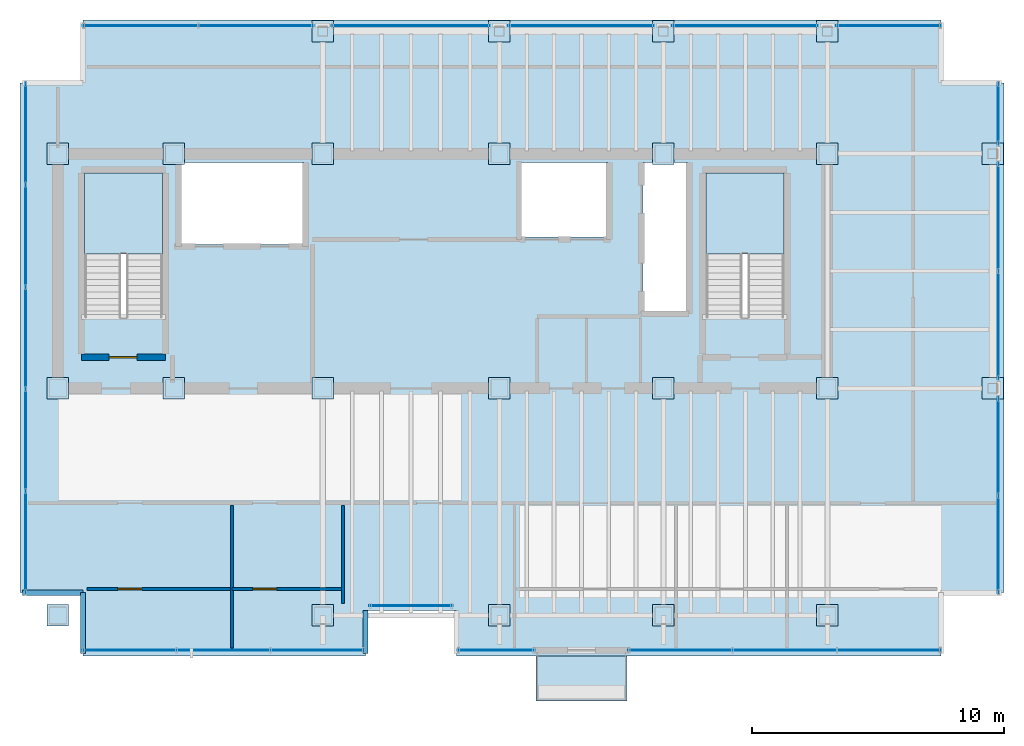
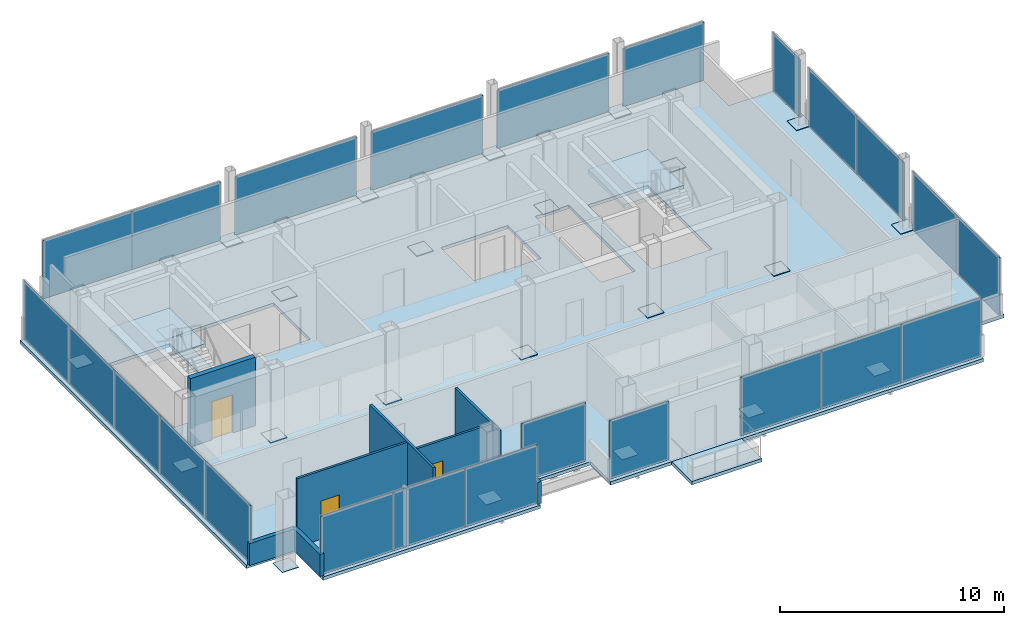
# One storey, part 13 of 17: 47 plates, 8 walls, 4 slabs, 3 doors, 8 openings, 15 elements without a shape of their own.
"""IFC4 building model written with IfcOpenShell, lengths in metres."""

from ifc_helpers import new_model, si_unit, direction, frame, frame_2d, origin, origin_2d, place, context, subcontext, project, spatial, polyline, rectangle, outline, extrude, material, layer, layer_set, type_object, element, fill, aggregate, save


model = new_model("IFC4")

# Units and contexts
model_context = context("Model", 3, precision=1e-05, world=origin(), true_north=direction((0.0, 1.0)))
body_context = subcontext(model_context, "Body", "Model", "MODEL_VIEW")
ifc_project = project(units=[si_unit("LENGTHUNIT", "METRE"), si_unit("AREAUNIT", "SQUARE_METRE"), si_unit("VOLUMEUNIT", "CUBIC_METRE"), si_unit("PLANEANGLEUNIT", "RADIAN"), si_unit("MASSUNIT", "GRAM", prefix="KILO")], contexts=[model_context])

# Site, building, storey
site_placement = place(None, origin())
site = spatial("IfcSite", under=ifc_project, at=site_placement, CompositionType="ELEMENT")
building_placement = place(site_placement, origin())
building = spatial("IfcBuilding", under=site, at=building_placement, Name="Noeulbin Bourse Tower", CompositionType="ELEMENT")
storey_placement = place(building_placement, frame((0.0, 0.0, 293.0)))
storey = spatial("IfcBuildingStorey", under=building, at=storey_placement, Name="L73", CompositionType="ELEMENT", Elevation=293.0)

# Curtain wall, plate
ifc_material_1 = material(Name="High-Selectivity Low-Iron Glazing", Category="glass")
curtain_wall_type = type_object("IfcCurtainWallType", Name="CW-SYS-4", PredefinedType="NOTDEFINED", material=ifc_material_1)
curtain_wall_1_placement = place(storey_placement, origin())
curtain_wall_1 = element("IfcCurtainWall", 1, at=curtain_wall_1_placement, inside=storey, type_object=curtain_wall_type, Name="Unitised Curtain Wall CW-L73-SREC", PredefinedType="NOTDEFINED")
ifc_layer_1 = layer(ifc_material_1, 0.035888671875)
ifc_layer_set_1 = layer_set([ifc_layer_1], Name="High-Selectivity Low-Iron Glazing")
plate_type_1 = type_object("IfcPlateType", Name="CW-SYS-4-PNL", PredefinedType="CURTAIN_PANEL", material=ifc_layer_set_1)
plate_1_placement = place(storey_placement, frame((27.5, 20.3798828125, 0.0), z_axis=(0.0, 0.0, 1.0), x_axis=(1.0, 0.0, 0.0)))
plate_1 = element("IfcPlate", 2, at=plate_1_placement, type_object=plate_type_1, Name="Glazed Curtain Panel CW-L73-SREC-P00", PredefinedType="CURTAIN_PANEL", context=body_context, shape_type="SweptSolid", body=[
    extrude(rectangle(XDim=3.300048828125, YDim=0.035888671875, at=origin_2d()), origin(), (0.0, 0.0, 1.0), 3.179931640625),
])
aggregate(curtain_wall_1, [plate_1])

# Curtain wall, plates
curtain_wall_2_placement = place(storey_placement, origin())
curtain_wall_2 = element("IfcCurtainWall", 3, at=curtain_wall_2_placement, inside=storey, type_object=curtain_wall_type, Name="Unitised Curtain Wall CW-L73-S1", PredefinedType="NOTDEFINED")
plate_2_placement = place(storey_placement, frame((16.341796875, 18.6201171875, 0.0), z_axis=(0.0, 0.0, 1.0), x_axis=(1.0, 0.0, 0.0)))
plate_2 = element("IfcPlate", 4, at=plate_2_placement, type_object=plate_type_1, Name="Glazed Curtain Panel CW-L73-S1-P00", PredefinedType="CURTAIN_PANEL", context=body_context, shape_type="SweptSolid", body=[
    extrude(rectangle(XDim=3.723388671875, YDim=0.035888671875, at=origin_2d()), origin(), (0.0, 0.0, 1.0), 3.179931640625),
])
plate_3_placement = place(storey_placement, frame((20.06494140625, 18.6201171875, 0.0), z_axis=(0.0, 0.0, 1.0), x_axis=(1.0, 0.0, 0.0)))
plate_3 = element("IfcPlate", 5, at=plate_3_placement, type_object=plate_type_1, Name="Glazed Curtain Panel CW-L73-S1-P01", PredefinedType="CURTAIN_PANEL", context=body_context, shape_type="SweptSolid", body=[
    extrude(rectangle(XDim=3.723388671875, YDim=0.035888671875, at=origin_2d()), origin(), (0.0, 0.0, 1.0), 3.179931640625),
])
plate_4_placement = place(storey_placement, frame((23.788330078125, 18.6201171875, 0.0), z_axis=(0.0, 0.0, 1.0), x_axis=(1.0, 0.0, 0.0)))
plate_4 = element("IfcPlate", 6, at=plate_4_placement, type_object=plate_type_1, Name="Glazed Curtain Panel CW-L73-S1-P02", PredefinedType="CURTAIN_PANEL", context=body_context, shape_type="SweptSolid", body=[
    extrude(rectangle(XDim=3.723388671875, YDim=0.035888671875, at=origin_2d()), origin(), (0.0, 0.0, 1.0), 3.179931640625),
])
aggregate(curtain_wall_2, [plate_2, plate_3, plate_4])

# Curtain wall, plate
curtain_wall_3_placement = place(storey_placement, origin())
curtain_wall_3 = element("IfcCurtainWall", 7, at=curtain_wall_3_placement, inside=storey, type_object=curtain_wall_type, Name="Unitised Curtain Wall CW-L73-S2", PredefinedType="NOTDEFINED")
plate_5_placement = place(storey_placement, frame((30.875, 18.6201171875, 0.0), z_axis=(0.0, 0.0, 1.0), x_axis=(1.0, 0.0, 0.0)))
plate_5 = element("IfcPlate", 8, at=plate_5_placement, type_object=plate_type_1, Name="Glazed Curtain Panel CW-L73-S2-P00", PredefinedType="CURTAIN_PANEL", context=body_context, shape_type="SweptSolid", body=[
    extrude(rectangle(XDim=3.050048828125, YDim=0.035888671875, at=origin_2d()), origin(), (0.0, 0.0, 1.0), 3.179931640625),
])
aggregate(curtain_wall_3, [plate_5])

# Curtain wall, plates
curtain_wall_4_placement = place(storey_placement, origin())
curtain_wall_4 = element("IfcCurtainWall", 9, at=curtain_wall_4_placement, inside=storey, type_object=curtain_wall_type, Name="Unitised Curtain Wall CW-L73-S3", PredefinedType="NOTDEFINED")
plate_6_placement = place(storey_placement, frame((38.169921875, 18.6201171875, 0.0), z_axis=(0.0, 0.0, 1.0), x_axis=(1.0, 0.0, 0.0)))
plate_6 = element("IfcPlate", 10, at=plate_6_placement, type_object=plate_type_1, Name="Glazed Curtain Panel CW-L73-S3-P00", PredefinedType="CURTAIN_PANEL", context=body_context, shape_type="SweptSolid", body=[
    extrude(rectangle(XDim=4.139892578125, YDim=0.035888671875, at=origin_2d()), origin(), (0.0, 0.0, 1.0), 3.179931640625),
])
plate_7_placement = place(storey_placement, frame((42.31005859375, 18.6201171875, 0.0), z_axis=(0.0, 0.0, 1.0), x_axis=(1.0, 0.0, 0.0)))
plate_7 = element("IfcPlate", 11, at=plate_7_placement, type_object=plate_type_1, Name="Glazed Curtain Panel CW-L73-S3-P01", PredefinedType="CURTAIN_PANEL", context=body_context, shape_type="SweptSolid", body=[
    extrude(rectangle(XDim=4.139892578125, YDim=0.035888671875, at=origin_2d()), origin(), (0.0, 0.0, 1.0), 3.179931640625),
])
plate_8_placement = place(storey_placement, frame((46.449951171875, 18.6201171875, 0.0), z_axis=(0.0, 0.0, 1.0), x_axis=(1.0, 0.0, 0.0)))
plate_8 = element("IfcPlate", 12, at=plate_8_placement, type_object=plate_type_1, Name="Glazed Curtain Panel CW-L73-S3-P02", PredefinedType="CURTAIN_PANEL", context=body_context, shape_type="SweptSolid", body=[
    extrude(rectangle(XDim=4.139892578125, YDim=0.035888671875, at=origin_2d()), origin(), (0.0, 0.0, 1.0), 3.179931640625),
])
aggregate(curtain_wall_4, [plate_6, plate_7, plate_8])

curtain_wall_5_placement = place(storey_placement, origin())
curtain_wall_5 = element("IfcCurtainWall", 13, at=curtain_wall_5_placement, inside=storey, type_object=curtain_wall_type, Name="Unitised Curtain Wall CW-L73-N-S1", PredefinedType="NOTDEFINED")
plate_9_placement = place(storey_placement, frame((16.77001953125, 43.3798828125, 0.0), z_axis=(0.0, 0.0, 1.0), x_axis=(1.0, 0.0, 0.0)))
plate_9 = element("IfcPlate", 14, at=plate_9_placement, type_object=plate_type_1, Name="Glazed Curtain Panel CW-L73-N-S1-P00", PredefinedType="CURTAIN_PANEL", context=body_context, shape_type="SweptSolid", body=[
    extrude(rectangle(XDim=4.580078125, YDim=0.035888671875, at=origin_2d()), origin(), (0.0, 0.0, 1.0), 3.179931640625),
])
plate_10_placement = place(storey_placement, frame((21.35009765625, 43.3798828125, 0.0), z_axis=(0.0, 0.0, 1.0), x_axis=(1.0, 0.0, 0.0)))
plate_10 = element("IfcPlate", 15, at=plate_10_placement, type_object=plate_type_1, Name="Glazed Curtain Panel CW-L73-N-S1-P01", PredefinedType="CURTAIN_PANEL", context=body_context, shape_type="SweptSolid", body=[
    extrude(rectangle(XDim=4.580078125, YDim=0.035888671875, at=origin_2d()), origin(), (0.0, 0.0, 1.0), 3.179931640625),
])
aggregate(curtain_wall_5, [plate_9, plate_10])

# Curtain wall, plate
curtain_wall_6_placement = place(storey_placement, origin())
curtain_wall_6 = element("IfcCurtainWall", 16, at=curtain_wall_6_placement, inside=storey, type_object=curtain_wall_type, Name="Unitised Curtain Wall CW-L73-N-S2", PredefinedType="NOTDEFINED")
plate_11_placement = place(storey_placement, frame((27.5, 43.3798828125, 0.0), z_axis=(0.0, 0.0, 1.0), x_axis=(1.0, 0.0, 0.0)))
plate_11 = element("IfcPlate", 17, at=plate_11_placement, type_object=plate_type_1, Name="Glazed Curtain Panel CW-L73-N-S2-P00", PredefinedType="CURTAIN_PANEL", context=body_context, shape_type="SweptSolid", body=[
    extrude(rectangle(XDim=6.280029296875, YDim=0.035888671875, at=origin_2d()), origin(), (0.0, 0.0, 1.0), 3.179931640625),
])
aggregate(curtain_wall_6, [plate_11])

curtain_wall_7_placement = place(storey_placement, origin())
curtain_wall_7 = element("IfcCurtainWall", 18, at=curtain_wall_7_placement, inside=storey, type_object=curtain_wall_type, Name="Unitised Curtain Wall CW-L73-N-S3", PredefinedType="NOTDEFINED")
plate_12_placement = place(storey_placement, frame((34.25, 43.3798828125, 0.0), z_axis=(0.0, 0.0, 1.0), x_axis=(1.0, 0.0, 0.0)))
plate_12 = element("IfcPlate", 19, at=plate_12_placement, type_object=plate_type_1, Name="Glazed Curtain Panel CW-L73-N-S3-P00", PredefinedType="CURTAIN_PANEL", context=body_context, shape_type="SweptSolid", body=[
    extrude(rectangle(XDim=5.780029296875, YDim=0.035888671875, at=origin_2d()), origin(), (0.0, 0.0, 1.0), 3.179931640625),
])
aggregate(curtain_wall_7, [plate_12])

curtain_wall_8_placement = place(storey_placement, origin())
curtain_wall_8 = element("IfcCurtainWall", 20, at=curtain_wall_8_placement, inside=storey, type_object=curtain_wall_type, Name="Unitised Curtain Wall CW-L73-N-S4", PredefinedType="NOTDEFINED")
plate_13_placement = place(storey_placement, frame((40.75, 43.3798828125, 0.0), z_axis=(0.0, 0.0, 1.0), x_axis=(1.0, 0.0, 0.0)))
plate_13 = element("IfcPlate", 21, at=plate_13_placement, type_object=plate_type_1, Name="Glazed Curtain Panel CW-L73-N-S4-P00", PredefinedType="CURTAIN_PANEL", context=body_context, shape_type="SweptSolid", body=[
    extrude(rectangle(XDim=5.780029296875, YDim=0.035888671875, at=origin_2d()), origin(), (0.0, 0.0, 1.0), 3.179931640625),
])
aggregate(curtain_wall_8, [plate_13])

curtain_wall_9_placement = place(storey_placement, origin())
curtain_wall_9 = element("IfcCurtainWall", 22, at=curtain_wall_9_placement, inside=storey, type_object=curtain_wall_type, Name="Unitised Curtain Wall CW-L73-N-S5", PredefinedType="NOTDEFINED")
plate_14_placement = place(storey_placement, frame((46.43994140625, 43.3798828125, 0.0), z_axis=(0.0, 0.0, 1.0), x_axis=(1.0, 0.0, 0.0)))
plate_14 = element("IfcPlate", 23, at=plate_14_placement, type_object=plate_type_1, Name="Glazed Curtain Panel CW-L73-N-S5-P00", PredefinedType="CURTAIN_PANEL", context=body_context, shape_type="SweptSolid", body=[
    extrude(rectangle(XDim=4.159912109375, YDim=0.035888671875, at=origin_2d()), origin(), (0.0, 0.0, 1.0), 3.179931640625),
])
aggregate(curtain_wall_9, [plate_14])

# Curtain wall, plates
curtain_wall_10_placement = place(storey_placement, origin())
curtain_wall_10 = element("IfcCurtainWall", 24, at=curtain_wall_10_placement, inside=storey, type_object=curtain_wall_type, Name="Unitised Curtain Wall CW-L73-W", PredefinedType="NOTDEFINED")
plate_15_placement = place(storey_placement, frame((12.219970703125, 22.904052734375, 0.0), z_axis=(0.0, 0.0, 1.0), x_axis=(0.0, 1.0, 0.0)))
plate_15 = element("IfcPlate", 25, at=plate_15_placement, type_object=plate_type_1, Name="Glazed Curtain Panel CW-L73-W-P00", PredefinedType="CURTAIN_PANEL", context=body_context, shape_type="SweptSolid", body=[
    extrude(rectangle(XDim=4.048095703125, YDim=0.035888671875, at=origin_2d()), origin(), (0.0, 0.0, 1.0), 3.179931640625),
])
plate_16_placement = place(storey_placement, frame((12.219970703125, 26.951904296875, 0.0), z_axis=(0.0, 0.0, 1.0), x_axis=(0.0, 1.0, 0.0)))
plate_16 = element("IfcPlate", 26, at=plate_16_placement, type_object=plate_type_1, Name="Glazed Curtain Panel CW-L73-W-P01", PredefinedType="CURTAIN_PANEL", context=body_context, shape_type="SweptSolid", body=[
    extrude(rectangle(XDim=4.048095703125, YDim=0.035888671875, at=origin_2d()), origin(), (0.0, 0.0, 1.0), 3.179931640625),
])
plate_17_placement = place(storey_placement, frame((12.219970703125, 31.0, 0.0), z_axis=(0.0, 0.0, 1.0), x_axis=(0.0, 1.0, 0.0)))
plate_17 = element("IfcPlate", 27, at=plate_17_placement, type_object=plate_type_1, Name="Glazed Curtain Panel CW-L73-W-P02", PredefinedType="CURTAIN_PANEL", context=body_context, shape_type="SweptSolid", body=[
    extrude(rectangle(XDim=4.048095703125, YDim=0.035888671875, at=origin_2d()), origin(), (0.0, 0.0, 1.0), 3.179931640625),
])
plate_18_placement = place(storey_placement, frame((12.219970703125, 35.048095703125, 0.0), z_axis=(0.0, 0.0, 1.0), x_axis=(0.0, 1.0, 0.0)))
plate_18 = element("IfcPlate", 28, at=plate_18_placement, type_object=plate_type_1, Name="Glazed Curtain Panel CW-L73-W-P03", PredefinedType="CURTAIN_PANEL", context=body_context, shape_type="SweptSolid", body=[
    extrude(rectangle(XDim=4.048095703125, YDim=0.035888671875, at=origin_2d()), origin(), (0.0, 0.0, 1.0), 3.179931640625),
])
plate_19_placement = place(storey_placement, frame((12.219970703125, 39.095947265625, 0.0), z_axis=(0.0, 0.0, 1.0), x_axis=(0.0, 1.0, 0.0)))
plate_19 = element("IfcPlate", 29, at=plate_19_placement, type_object=plate_type_1, Name="Glazed Curtain Panel CW-L73-W-P04", PredefinedType="CURTAIN_PANEL", context=body_context, shape_type="SweptSolid", body=[
    extrude(rectangle(XDim=4.048095703125, YDim=0.035888671875, at=origin_2d()), origin(), (0.0, 0.0, 1.0), 3.179931640625),
])
aggregate(curtain_wall_10, [plate_15, plate_16, plate_17, plate_18, plate_19])

curtain_wall_11_placement = place(storey_placement, origin())
curtain_wall_11 = element("IfcCurtainWall", 30, at=curtain_wall_11_placement, inside=storey, type_object=curtain_wall_type, Name="Unitised Curtain Wall CW-L73-E-S1", PredefinedType="NOTDEFINED")
plate_20_placement = place(storey_placement, frame((50.780029296875, 22.820068359375, 0.0), z_axis=(0.0, 0.0, 1.0), x_axis=(0.0, 1.0, 0.0)))
plate_20 = element("IfcPlate", 31, at=plate_20_placement, type_object=plate_type_1, Name="Glazed Curtain Panel CW-L73-E-S1-P00", PredefinedType="CURTAIN_PANEL", context=body_context, shape_type="SweptSolid", body=[
    extrude(rectangle(XDim=3.8798828125, YDim=0.035888671875, at=origin_2d()), origin(), (0.0, 0.0, 1.0), 3.179931640625),
])
plate_21_placement = place(storey_placement, frame((50.780029296875, 26.699951171875, 0.0), z_axis=(0.0, 0.0, 1.0), x_axis=(0.0, 1.0, 0.0)))
plate_21 = element("IfcPlate", 32, at=plate_21_placement, type_object=plate_type_1, Name="Glazed Curtain Panel CW-L73-E-S1-P01", PredefinedType="CURTAIN_PANEL", context=body_context, shape_type="SweptSolid", body=[
    extrude(rectangle(XDim=3.8798828125, YDim=0.035888671875, at=origin_2d()), origin(), (0.0, 0.0, 1.0), 3.179931640625),
])
aggregate(curtain_wall_11, [plate_20, plate_21])

curtain_wall_12_placement = place(storey_placement, origin())
curtain_wall_12 = element("IfcCurtainWall", 33, at=curtain_wall_12_placement, inside=storey, type_object=curtain_wall_type, Name="Unitised Curtain Wall CW-L73-E-S2", PredefinedType="NOTDEFINED")
plate_22_placement = place(storey_placement, frame((50.780029296875, 31.5048828125, 0.0), z_axis=(0.0, 0.0, 1.0), x_axis=(0.0, 1.0, 0.0)))
plate_22 = element("IfcPlate", 34, at=plate_22_placement, type_object=plate_type_1, Name="Glazed Curtain Panel CW-L73-E-S2-P00", PredefinedType="CURTAIN_PANEL", context=body_context, shape_type="SweptSolid", body=[
    extrude(rectangle(XDim=4.2900390625, YDim=0.035888671875, at=origin_2d()), origin(), (0.0, 0.0, 1.0), 3.179931640625),
])
plate_23_placement = place(storey_placement, frame((50.780029296875, 35.794921875, 0.0), z_axis=(0.0, 0.0, 1.0), x_axis=(0.0, 1.0, 0.0)))
plate_23 = element("IfcPlate", 35, at=plate_23_placement, type_object=plate_type_1, Name="Glazed Curtain Panel CW-L73-E-S2-P01", PredefinedType="CURTAIN_PANEL", context=body_context, shape_type="SweptSolid", body=[
    extrude(rectangle(XDim=4.2900390625, YDim=0.035888671875, at=origin_2d()), origin(), (0.0, 0.0, 1.0), 3.179931640625),
])
aggregate(curtain_wall_12, [plate_22, plate_23])

# Curtain wall, plate
curtain_wall_13_placement = place(storey_placement, origin())
curtain_wall_13 = element("IfcCurtainWall", 36, at=curtain_wall_13_placement, inside=storey, type_object=curtain_wall_type, Name="Unitised Curtain Wall CW-L73-E-S3", PredefinedType="NOTDEFINED")
plate_24_placement = place(storey_placement, frame((50.780029296875, 39.889892578125, 0.0), z_axis=(0.0, 0.0, 1.0), x_axis=(0.0, 1.0, 0.0)))
plate_24 = element("IfcPlate", 37, at=plate_24_placement, type_object=plate_type_1, Name="Glazed Curtain Panel CW-L73-E-S3-P00", PredefinedType="CURTAIN_PANEL", context=body_context, shape_type="SweptSolid", body=[
    extrude(rectangle(XDim=2.4599609375, YDim=0.035888671875, at=origin_2d()), origin(), (0.0, 0.0, 1.0), 3.179931640625),
])
aggregate(curtain_wall_13, [plate_24])

# Plates
ifc_material_2 = material(Name="Steel S355", Category="steel")
ifc_layer_2 = layer(ifc_material_2, 0.030029296875)
ifc_layer_set_2 = layer_set([ifc_layer_2], Name="Steel S355")
plate_type_2 = type_object("IfcPlateType", Name="PLT-BN1", PredefinedType="USERDEFINED", material=ifc_layer_set_2)
for number, where, z_axis, x_axis, name in (
    (38, (13.5, 29.0, 0.0048828125), (0.0, 0.0, 1.0), (1.0, 0.0, 0.0), "Mega-Column Splice Plate BN1-L73-01"),
    (39, (13.5, 38.300048828125, 0.0048828125), (0.0, 0.0, 1.0), (1.0, 0.0, 0.0), "Mega-Column Splice Plate BN1-L73-02"),
    (40, (18.10009765625, 29.0, 0.0048828125), (0.0, 0.0, 1.0), (1.0, 0.0, 0.0), "Mega-Column Splice Plate BN1-L73-03"),
    (41, (18.10009765625, 38.300048828125, 0.0048828125), (0.0, 0.0, 1.0), (1.0, 0.0, 0.0), "Mega-Column Splice Plate BN1-L73-04"),
    (42, (24.0, 29.0, 0.0048828125), (0.0, 0.0, 1.0), (1.0, 0.0, 0.0), "Mega-Column Splice Plate BN1-L73-05"),
    (43, (24.0, 38.300048828125, 0.0048828125), (0.0, 0.0, 1.0), (1.0, 0.0, 0.0), "Mega-Column Splice Plate BN1-L73-06"),
    (44, (31.0, 29.0, 0.0048828125), (0.0, 0.0, 1.0), (1.0, 0.0, 0.0), "Mega-Column Splice Plate BN1-L73-07"),
    (45, (31.0, 38.300048828125, 0.0048828125), (0.0, 0.0, 1.0), (1.0, 0.0, 0.0), "Mega-Column Splice Plate BN1-L73-08"),
    (46, (37.5, 29.0, 0.0048828125), (0.0, 0.0, 1.0), (1.0, 0.0, 0.0), "Mega-Column Splice Plate BN1-L73-09"),
    (47, (37.5, 38.300048828125, 0.0048828125), (0.0, 0.0, 1.0), (1.0, 0.0, 0.0), "Mega-Column Splice Plate BN1-L73-10"),
    (48, (44.0, 29.0, 0.0048828125), (0.0, 0.0, 1.0), (1.0, 0.0, 0.0), "Mega-Column Splice Plate BN1-L73-11"),
    (49, (44.0, 38.300048828125, 0.0048828125), (0.0, 0.0, 1.0), (1.0, 0.0, 0.0), "Mega-Column Splice Plate BN1-L73-12"),
    (50, (13.5, 20.0, 0.0048828125), (0.0, 0.0, 1.0), (1.0, 0.0, 0.0), "Mega-Column Splice Plate BN1-L73-13"),
    (51, (24.0, 20.0, 0.0048828125), (0.0, 0.0, 1.0), (1.0, 0.0, 0.0), "Mega-Column Splice Plate BN1-L73-14"),
    (52, (31.0, 20.0, 0.0048828125), (0.0, 0.0, 1.0), (1.0, 0.0, 0.0), "Mega-Column Splice Plate BN1-L73-15"),
    (53, (37.5, 20.0, 0.0048828125), (0.0, 0.0, 1.0), (1.0, 0.0, 0.0), "Mega-Column Splice Plate BN1-L73-16"),
    (54, (44.0, 20.0, 0.0048828125), (0.0, 0.0, 1.0), (1.0, 0.0, 0.0), "Mega-Column Splice Plate BN1-L73-17"),
    (55, (24.0, 43.14990234375, 0.0048828125), (0.0, 0.0, 1.0), (1.0, 0.0, 0.0), "Perimeter Column Splice Plate BN1-L73-01"),
    (56, (31.0, 43.14990234375, 0.0048828125), (0.0, 0.0, 1.0), (1.0, 0.0, 0.0), "Perimeter Column Splice Plate BN1-L73-02"),
    (57, (37.5, 43.14990234375, 0.0048828125), (0.0, 0.0, 1.0), (1.0, 0.0, 0.0), "Perimeter Column Splice Plate BN1-L73-03"),
    (58, (44.0, 43.14990234375, 0.0048828125), (0.0, 0.0, 1.0), (1.0, 0.0, 0.0), "Perimeter Column Splice Plate BN1-L73-04"),
    (59, (50.550048828125, 29.0, 0.0048828125), (0.0, 0.0, 1.0), (1.0, 0.0, 0.0), "Perimeter Column Splice Plate BN1-L73-05"),
    (60, (50.550048828125, 38.300048828125, 0.0048828125), (0.0, 0.0, 1.0), (1.0, 0.0, 0.0), "Perimeter Column Splice Plate BN1-L73-06"),
):
    element("IfcPlate", number, at=place(storey_placement, frame(where, z_axis=z_axis, x_axis=x_axis)), inside=storey, type_object=plate_type_2, Name=name, ObjectType="SPLICE PLATE", PredefinedType="USERDEFINED", context=body_context, shape_type="SweptSolid", body=[
        extrude(rectangle(XDim=0.85009765625, YDim=0.85009765625, at=origin_2d()), origin(), (0.0, 0.0, 1.0), 0.030029296875),
    ])

# Stair, slab
ifc_material_3 = material(Name="Concrete C40/50", Category="concrete")
stair_type = type_object("IfcStairType", Name="STR-CORE-1560", PredefinedType="HALF_TURN_STAIR", material=ifc_material_3)
stair_1_placement = place(storey_placement, origin())
stair_1 = element("IfcStair", 61, at=stair_1_placement, inside=storey, type_object=stair_type, Name="L73 ST-1", PredefinedType="HALF_TURN_STAIR")
ifc_layer_3 = layer(ifc_material_3, 0.199951171875)
ifc_layer_set_3 = layer_set([ifc_layer_3], Name="Concrete C40/50")
slab_type_1 = type_object("IfcSlabType", Name="SLB-LND-200", PredefinedType="LANDING", material=ifc_layer_set_3)
slab_1_placement = place(storey_placement, frame((0.0, 0.0, 1.75)))
slab_1 = element("IfcSlab", 62, at=slab_1_placement, type_object=slab_type_1, Name="ST-1 landing 1", PredefinedType="LANDING", context=body_context, shape_type="SweptSolid", body=[
    extrude(outline(polyline([(17.64990234375, 34.330078125), (17.64990234375, 37.5439453125), (14.550048828125, 37.5439453125), (14.550048828125, 34.330078125), (17.64990234375, 34.330078125)])), origin(), (0.0, 0.0, 1.0), 0.199951171875),
])
aggregate(stair_1, [slab_1])

stair_2_placement = place(storey_placement, origin())
stair_2 = element("IfcStair", 63, at=stair_2_placement, inside=storey, type_object=stair_type, Name="L73 ST-2", PredefinedType="HALF_TURN_STAIR")
slab_2_placement = place(storey_placement, frame((0.0, 0.0, 1.75)))
slab_2 = element("IfcSlab", 64, at=slab_2_placement, type_object=slab_type_1, Name="ST-2 landing 1", PredefinedType="LANDING", context=body_context, shape_type="SweptSolid", body=[
    extrude(outline(polyline([(42.280029296875, 34.330078125), (42.280029296875, 37.5439453125), (39.179931640625, 37.5439453125), (39.179931640625, 34.330078125), (42.280029296875, 34.330078125)])), origin(), (0.0, 0.0, 1.0), 0.199951171875),
])
aggregate(stair_2, [slab_2])

# Slab, openings
ifc_layer_4 = layer(ifc_material_3, 0.179931640625)
ifc_layer_set_4 = layer_set([ifc_layer_4], Name="Concrete C40/50")
slab_type_2 = type_object("IfcSlabType", Name="SLB-TYP-180", PredefinedType="FLOOR", material=ifc_layer_set_4)
slab_3_placement = place(storey_placement, frame((0.0, 0.0, -0.179931640625)))
slab_3 = element("IfcSlab", 65, at=slab_3_placement, inside=storey, type_object=slab_type_2, Name="Tower Structural Floor Slab L73", PredefinedType="FLOOR", context=body_context, shape_type="SweptSolid", body=[
    extrude(outline(polyline([(14.5, 18.39990234375), (25.699951171875, 18.39990234375), (25.699951171875, 20.199951171875), (29.300048828125, 20.199951171875), (29.300048828125, 18.39990234375), (48.5, 18.39990234375), (48.5, 20.89990234375), (51.0, 20.89990234375), (51.0, 41.10009765625), (48.5, 41.10009765625), (48.5, 43.60009765625), (14.5, 43.60009765625), (14.5, 41.10009765625), (12.0, 41.10009765625), (12.0, 20.89990234375), (14.5, 20.89990234375), (14.5, 18.39990234375)]), holes=[polyline([(17.64990234375, 31.81005859375), (17.64990234375, 37.5439453125), (14.550048828125, 37.5439453125), (14.550048828125, 31.81005859375), (17.64990234375, 31.81005859375)]), polyline([(42.280029296875, 31.81005859375), (42.280029296875, 37.5439453125), (39.179931640625, 37.5439453125), (39.179931640625, 31.81005859375), (42.280029296875, 31.81005859375)]), polyline([(18.35009765625, 34.699951171875), (23.25, 34.699951171875), (23.25, 37.949951171875), (18.35009765625, 37.949951171875), (18.35009765625, 34.699951171875)]), polyline([(36.699951171875, 32.050048828125), (38.449951171875, 32.050048828125), (38.449951171875, 37.949951171875), (36.699951171875, 37.949951171875), (36.699951171875, 32.050048828125)]), polyline([(31.85009765625, 35.0), (35.300048828125, 35.0), (35.300048828125, 37.949951171875), (31.85009765625, 37.949951171875), (31.85009765625, 35.0)])]), origin(), (0.0, 0.0, 1.0), 0.179931640625),
])
opening_1_placement = place(slab_3_placement, frame((0.0, 0.0, -0.010009765625)))
element("IfcOpeningElement", 66, at=opening_1_placement, cuts=slab_3, Name="Slab Shaft Opening SLB-L73-TWR-1", PredefinedType="OPENING", context=body_context, shape_type="SweptSolid", body=[
    extrude(outline(polyline([(17.64990234375, 31.81005859375), (17.64990234375, 37.5439453125), (14.550048828125, 37.5439453125), (14.550048828125, 31.81005859375), (17.64990234375, 31.81005859375)])), origin(), (0.0, 0.0, 1.0), 0.199951171875),
])
opening_2_placement = place(slab_3_placement, frame((0.0, 0.0, -0.010009765625)))
element("IfcOpeningElement", 67, at=opening_2_placement, cuts=slab_3, Name="Slab Shaft Opening SLB-L73-TWR-2", PredefinedType="OPENING", context=body_context, shape_type="SweptSolid", body=[
    extrude(outline(polyline([(42.280029296875, 31.81005859375), (42.280029296875, 37.5439453125), (39.179931640625, 37.5439453125), (39.179931640625, 31.81005859375), (42.280029296875, 31.81005859375)])), origin(), (0.0, 0.0, 1.0), 0.199951171875),
])
opening_3_placement = place(slab_3_placement, frame((0.0, 0.0, -0.010009765625)))
element("IfcOpeningElement", 68, at=opening_3_placement, cuts=slab_3, Name="Slab Shaft Opening SLB-L73-TWR-3", PredefinedType="OPENING", context=body_context, shape_type="SweptSolid", body=[
    extrude(outline(polyline([(18.35009765625, 34.699951171875), (23.25, 34.699951171875), (23.25, 37.949951171875), (18.35009765625, 37.949951171875), (18.35009765625, 34.699951171875)])), origin(), (0.0, 0.0, 1.0), 0.199951171875),
])
opening_4_placement = place(slab_3_placement, frame((0.0, 0.0, -0.010009765625)))
element("IfcOpeningElement", 69, at=opening_4_placement, cuts=slab_3, Name="Slab Shaft Opening SLB-L73-TWR-4", PredefinedType="OPENING", context=body_context, shape_type="SweptSolid", body=[
    extrude(outline(polyline([(36.699951171875, 32.050048828125), (38.449951171875, 32.050048828125), (38.449951171875, 37.949951171875), (36.699951171875, 37.949951171875), (36.699951171875, 32.050048828125)])), origin(), (0.0, 0.0, 1.0), 0.199951171875),
])
opening_5_placement = place(slab_3_placement, frame((0.0, 0.0, -0.010009765625)))
element("IfcOpeningElement", 70, at=opening_5_placement, cuts=slab_3, Name="Slab Shaft Opening SLB-L73-TWR-5", PredefinedType="OPENING", context=body_context, shape_type="SweptSolid", body=[
    extrude(outline(polyline([(31.85009765625, 35.0), (35.300048828125, 35.0), (35.300048828125, 37.949951171875), (31.85009765625, 37.949951171875), (31.85009765625, 35.0)])), origin(), (0.0, 0.0, 1.0), 0.199951171875),
])

# Slab
slab_4_placement = place(storey_placement, frame((0.0, 0.0, -0.179931640625)))
element("IfcSlab", 71, at=slab_4_placement, inside=storey, type_object=slab_type_2, Name="Cantilevered Tree-Balcony Slab L73", PredefinedType="FLOOR", context=body_context, shape_type="SweptSolid", body=[
    extrude(outline(polyline([(32.449951171875, 16.60009765625), (36.050048828125, 16.60009765625), (36.050048828125, 18.39990234375), (32.449951171875, 18.39990234375), (32.449951171875, 16.60009765625)])), origin(), (0.0, 0.0, 1.0), 0.179931640625),
])

# Walls
ifc_layer_5 = layer(ifc_material_3, 0.199951171875)
ifc_layer_set_5 = layer_set([ifc_layer_5], Name="Concrete C40/50")
wall_type_1 = type_object("IfcWallType", Name="WAL-PAR-200", PredefinedType="PARAPET", material=ifc_layer_set_5)
for number, where, z_axis, x_axis, name in (
    (72, (12.10009765625, 20.89990234375, 0.0), (0.0, 0.0, 1.0), (1.0, 0.0, 0.0), "Corner Notch Parapet L73-SW1"),
    (73, (14.5, 20.89990234375, 0.0), (0.0, 0.0, 1.0), (0.0, -1.0, 0.0), "Corner Notch Parapet L73-SW2"),
):
    element("IfcWall", number, at=place(storey_placement, frame(where, z_axis=z_axis, x_axis=x_axis)), inside=storey, type_object=wall_type_1, Name=name, PredefinedType="PARAPET", context=body_context, shape_type="SweptSolid", body=[
        extrude(rectangle(XDim=2.39990234375, YDim=0.199951171875, at=frame_2d((1.199951171875, 0.0))), origin(), (0.0, 0.0, 1.0), 1.199951171875),
    ])
wall_1_placement = place(storey_placement, frame((25.699951171875, 18.5, 0.0), z_axis=(0.0, 0.0, 1.0), x_axis=(0.0, 1.0, 0.0)))
element("IfcWall", 74, at=wall_1_placement, inside=storey, type_object=wall_type_1, Name="Sky-Garden Recess Parapet L73-W", PredefinedType="PARAPET", context=body_context, shape_type="SweptSolid", body=[
    extrude(rectangle(XDim=1.699951171875, YDim=0.199951171875, at=frame_2d((0.85009765625, 0.0))), origin(), (0.0, 0.0, 1.0), 1.199951171875),
])

# Wall, opening, door
ifc_material_4 = material(Name="Steel Stud Gypsum Partition", Category="steel")
ifc_layer_6 = layer(ifc_material_4, 0.1201171875)
ifc_layer_set_6 = layer_set([ifc_layer_6], Name="Steel Stud Gypsum Partition")
wall_type_2 = type_object("IfcWallType", Name="WAL-PRT-120", PredefinedType="PARTITIONING", material=ifc_layer_set_6)
wall_2_placement = place(storey_placement, frame((14.659912109375, 21.050048828125, 0.0), z_axis=(0.0, 0.0, 1.0), x_axis=(1.0, 0.0, 0.0)))
wall_2 = element("IfcWall", 75, at=wall_2_placement, inside=storey, type_object=wall_type_2, Name="Interior Partition Wall L73-05", PredefinedType="PARTITIONING", context=body_context, shape_type="SweptSolid", body=[
    extrude(rectangle(XDim=5.739990234375, YDim=0.1201171875, at=frame_2d((2.8701171875, 0.0))), origin(), (0.0, 0.0, 1.0), 3.719970703125),
])
opening_6_placement = place(wall_2_placement, frame((1.219970703125, 0.0, 0.0)))
opening_6 = element("IfcOpeningElement", 76, at=opening_6_placement, cuts=wall_2, Name="Opening ID-09", PredefinedType="OPENING", context=body_context, shape_type="SweptSolid", body=[
    extrude(rectangle(XDim=0.949951171875, YDim=2.080078125, at=frame_2d((0.47509765625, 1.0400390625))), frame((0.0, 0.070068359375, 0.0), z_axis=(0.0, -1.0, 0.0), x_axis=(1.0, 0.0, 0.0)), (0.0, 0.0, 1.0), 0.14013671875),
])
ifc_material_5 = material(Name="Acoustic Solid-Core Timber", Category="wood")
door_type_1 = type_object("IfcDoorType", Name="DR-SINGLE-950", OperationType="SINGLE_SWING_LEFT", PredefinedType="DOOR", material=ifc_material_5)
door_1_placement = place(opening_6_placement, origin())
door_1 = element("IfcDoor", 77, at=door_1_placement, inside=storey, type_object=door_type_1, Name="Interior Door L73-08", OperationType="SINGLE_SWING_RIGHT", OverallHeight=2.080078125, OverallWidth=0.949951171875, PredefinedType="DOOR", context=body_context, shape_type="SweptSolid", body=[
    extrude(rectangle(XDim=0.949951171875, YDim=2.080078125, at=frame_2d((0.47509765625, 1.0400390625))), frame((0.0, 0.02490234375, 0.0), z_axis=(0.0, -1.0, 0.0), x_axis=(1.0, 0.0, 0.0)), (0.0, 0.0, 1.0), 0.050048828125),
])
fill(opening_6, door_1)

wall_3_placement = place(storey_placement, frame((20.39990234375, 21.050048828125, 0.0), z_axis=(0.0, 0.0, 1.0), x_axis=(1.0, 0.0, 0.0)))
wall_3 = element("IfcWall", 78, at=wall_3_placement, inside=storey, type_object=wall_type_2, Name="Interior Partition Wall L73-06", PredefinedType="PARTITIONING", context=body_context, shape_type="SweptSolid", body=[
    extrude(rectangle(XDim=4.400146484375, YDim=0.1201171875, at=frame_2d((2.2001953125, 0.0))), origin(), (0.0, 0.0, 1.0), 3.199951171875),
])
opening_7_placement = place(wall_3_placement, frame((0.824951171875, 0.0, 0.0)))
opening_7 = element("IfcOpeningElement", 79, at=opening_7_placement, cuts=wall_3, Name="Opening ID-09", PredefinedType="OPENING", context=body_context, shape_type="SweptSolid", body=[
    extrude(rectangle(XDim=0.949951171875, YDim=2.080078125, at=frame_2d((0.47509765625, 1.0400390625))), frame((0.0, 0.070068359375, 0.0), z_axis=(0.0, -1.0, 0.0), x_axis=(1.0, 0.0, 0.0)), (0.0, 0.0, 1.0), 0.14013671875),
])
door_2_placement = place(opening_7_placement, origin())
door_2 = element("IfcDoor", 80, at=door_2_placement, inside=storey, type_object=door_type_1, Name="Interior Door L73-10", OperationType="SINGLE_SWING_RIGHT", OverallHeight=2.080078125, OverallWidth=0.949951171875, PredefinedType="DOOR", context=body_context, shape_type="SweptSolid", body=[
    extrude(rectangle(XDim=0.949951171875, YDim=2.080078125, at=frame_2d((0.47509765625, 1.0400390625))), frame((0.0, 0.02490234375, 0.0), z_axis=(0.0, -1.0, 0.0), x_axis=(1.0, 0.0, 0.0)), (0.0, 0.0, 1.0), 0.050048828125),
])
fill(opening_7, door_2)

# Walls
wall_4_placement = place(storey_placement, frame((20.39990234375, 18.7099609375, 0.0), z_axis=(0.0, 0.0, 1.0), x_axis=(0.0, 1.0, 0.0)))
element("IfcWall", 81, at=wall_4_placement, inside=storey, type_object=wall_type_2, Name="Interior Partition Wall L73-18", PredefinedType="PARTITIONING", context=body_context, shape_type="SweptSolid", body=[
    extrude(rectangle(XDim=5.655029296875, YDim=0.1201171875, at=frame_2d((2.82763671875, 0.0))), origin(), (0.0, 0.0, 1.0), 3.719970703125),
])
wall_5_placement = place(storey_placement, frame((24.800048828125, 20.469970703125, 0.0), z_axis=(0.0, 0.0, 1.0), x_axis=(0.0, 1.0, 0.0)))
element("IfcWall", 82, at=wall_5_placement, inside=storey, type_object=wall_type_2, Name="Interior Partition Wall L73-19", PredefinedType="PARTITIONING", context=body_context, shape_type="SweptSolid", body=[
    extrude(rectangle(XDim=3.89501953125, YDim=0.1201171875, at=frame_2d((1.947509765625, 0.0))), origin(), (0.0, 0.0, 1.0), 3.10009765625),
])

# Wall, opening, door
ifc_layer_7 = layer(ifc_material_3, 0.25)
ifc_layer_set_7 = layer_set([ifc_layer_7], Name="Concrete C40/50")
wall_type_3 = type_object("IfcWallType", Name="WAL-SHFT-250", PredefinedType="STANDARD", material=ifc_layer_set_7)
wall_6_placement = place(storey_placement, frame((14.429931640625, 30.235107421875, 0.0), z_axis=(0.0, 0.0, 1.0), x_axis=(1.0, 0.0, 0.0)))
wall_6 = element("IfcWall", 83, at=wall_6_placement, inside=storey, type_object=wall_type_3, Name="Stair ST-1 South Shaft Wall L73", PredefinedType="STANDARD", context=body_context, shape_type="SweptSolid", body=[
    extrude(rectangle(XDim=3.340087890625, YDim=0.25, at=frame_2d((1.669921875, 0.0))), origin(), (0.0, 0.0, 1.0), 3.719970703125),
])
opening_8_placement = place(wall_6_placement, frame((1.10009765625, 0.0, 0.0)))
opening_8 = element("IfcOpeningElement", 84, at=opening_8_placement, cuts=wall_6, Name="Opening FD-11", PredefinedType="OPENING", context=body_context, shape_type="SweptSolid", body=[
    extrude(rectangle(XDim=1.10009765625, YDim=2.080078125, at=frame_2d((0.550048828125, 1.0400390625))), frame((0.0, 0.135009765625, 0.0), z_axis=(0.0, -1.0, 0.0), x_axis=(1.0, 0.0, 0.0)), (0.0, 0.0, 1.0), 0.27001953125),
])
ifc_material_6 = material(Name="Fire-Rated Insulated Steel", Category="steel")
door_type_2 = type_object("IfcDoorType", Name="DR-FD60-1100", OperationType="SINGLE_SWING_LEFT", PredefinedType="DOOR", material=ifc_material_6)
door_3_placement = place(opening_8_placement, origin())
door_3 = element("IfcDoor", 85, at=door_3_placement, inside=storey, type_object=door_type_2, Name="Protected Stair Entry Door ST1-L73", OperationType="SINGLE_SWING_LEFT", OverallHeight=2.080078125, OverallWidth=1.10009765625, PredefinedType="DOOR", context=body_context, shape_type="SweptSolid", body=[
    extrude(rectangle(XDim=1.10009765625, YDim=2.080078125, at=frame_2d((0.550048828125, 1.0400390625))), frame((0.0, 0.02490234375, 0.0), z_axis=(0.0, -1.0, 0.0), x_axis=(1.0, 0.0, 0.0)), (0.0, 0.0, 1.0), 0.050048828125),
])
fill(opening_8, door_3)

save(model, "model.ifc")
